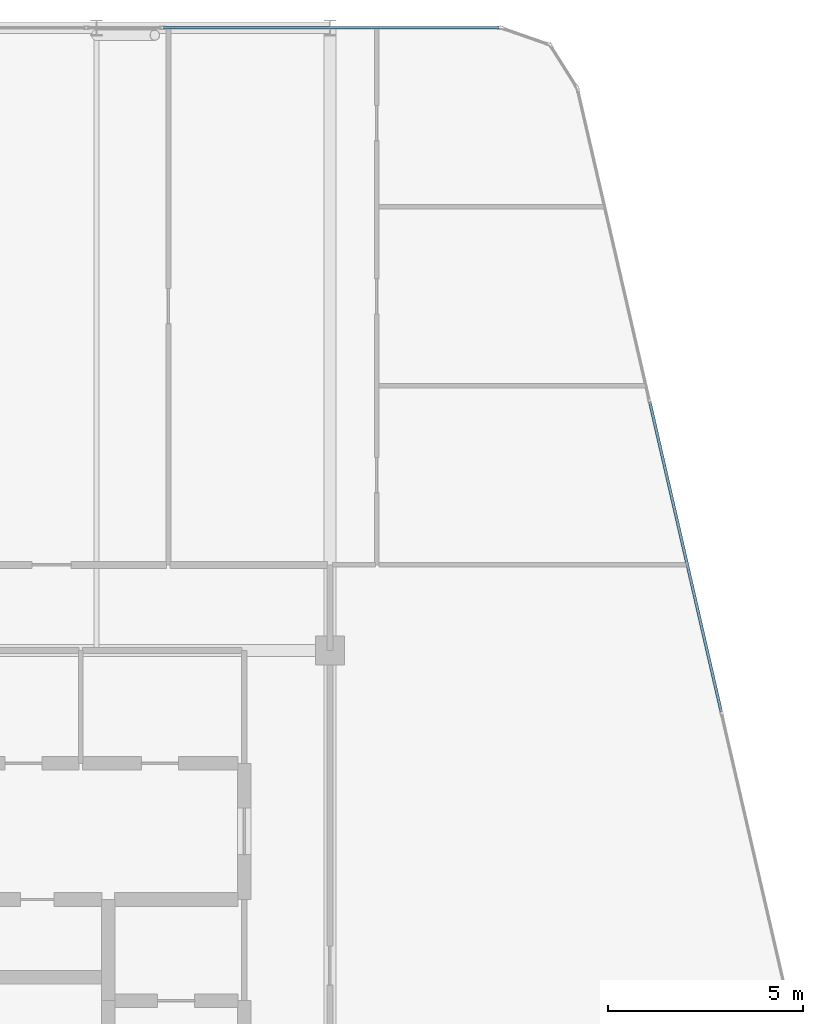
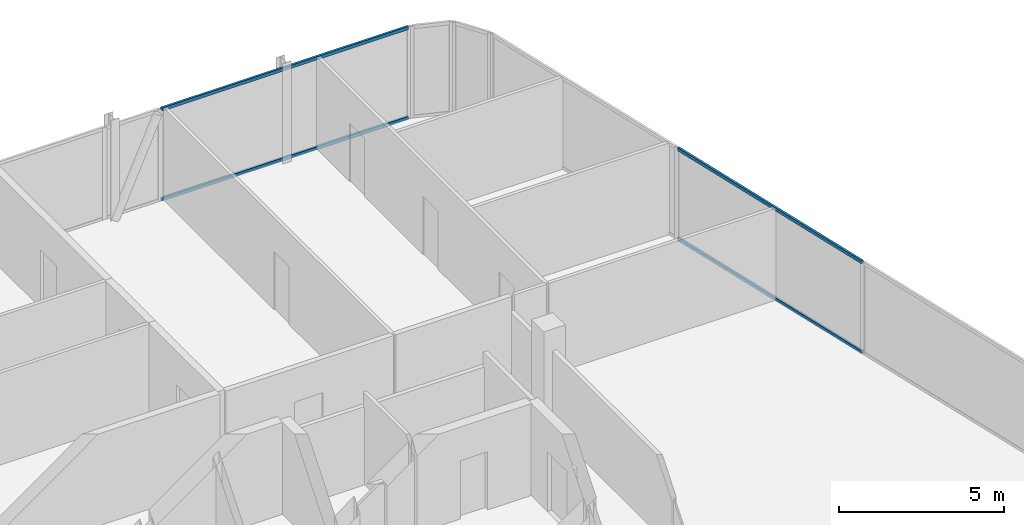
# One storey, part 18 of 27: 4 members, 2 elements without a shape of their own.
"""IFC4 building model written with IfcOpenShell, lengths in metres."""

from ifc_helpers import new_model, si_unit, direction, frame, origin, origin_2d, place, context, subcontext, project, spatial, hollow_rectangle, extrude, material, layer, layer_set, material_profile, profile_set, type_object, element, aggregate, save


model = new_model("IFC4")

# Units and contexts
model_context = context("Model", 3, precision=1e-05, world=origin(), true_north=direction((0.0, 1.0)))
body_context = subcontext(model_context, "Body", "Model", "MODEL_VIEW")
ifc_project = project(units=[si_unit("LENGTHUNIT", "METRE"), si_unit("AREAUNIT", "SQUARE_METRE"), si_unit("VOLUMEUNIT", "CUBIC_METRE"), si_unit("PLANEANGLEUNIT", "RADIAN"), si_unit("MASSUNIT", "GRAM", prefix="KILO")], contexts=[model_context])

# Site, building, storey
site_placement = place(None, origin())
site = spatial("IfcSite", under=ifc_project, at=site_placement, CompositionType="ELEMENT")
building_placement = place(site_placement, origin())
building = spatial("IfcBuilding", under=site, at=building_placement, Name="Keshet Zoharim Tower", CompositionType="ELEMENT")
storey_placement = place(building_placement, frame((0.0, 0.0, 247.300048828125)))
storey = spatial("IfcBuildingStorey", under=building, at=storey_placement, Name="L61", CompositionType="ELEMENT", Elevation=247.300048828125)

# Curtain wall, members
ifc_material = material(Name="Aluminium 6063-T6", Category="aluminium")
ifc_layer = layer(ifc_material, 0.260009765625)
ifc_layer_set = layer_set([ifc_layer], Name="Aluminium 6063-T6")
curtain_wall_type = type_object("IfcCurtainWallType", Name="CW-SYS-06", PredefinedType="NOTDEFINED", material=ifc_layer_set)
curtain_wall_1_placement = place(storey_placement, origin())
curtain_wall_1 = element("IfcCurtainWall", 1, at=curtain_wall_1_placement, inside=storey, type_object=curtain_wall_type, Name="L61 Unitised Curtain Wall 06 Part 5", PredefinedType="NOTDEFINED")
ifc_material_profile = material_profile(ifc_material, hollow_rectangle(XDim=0.074951171875, YDim=0.1201171875, WallThickness=0.00390625, at=origin_2d()), Name="TRN-75x120")
ifc_profile_set = profile_set([ifc_material_profile], Name="Aluminium 6063-T6")
member_type = type_object("IfcMemberType", Name="CWT-T12", PredefinedType="USERDEFINED", material=ifc_profile_set)
member_1_placement = place(storey_placement, frame((28.724853515625, 53.89990234375, 0.034912109375), z_axis=(1.0, 0.0, 0.0), x_axis=(0.0, 1.0, 0.0)))
member_1 = element("IfcMember", 2, at=member_1_placement, type_object=member_type, Name="CW-06 transom 1.1", ObjectType="TRANSOM", PredefinedType="USERDEFINED", context=body_context, shape_type="SweptSolid", body=[
    extrude(hollow_rectangle(XDim=0.074951171875, YDim=0.1201171875, WallThickness=0.00390625, at=origin_2d()), origin(), (0.0, 0.0, 1.0), 8.6142578125),
])
member_2_placement = place(storey_placement, frame((28.724853515625, 53.89990234375, 3.35498046875), z_axis=(1.0, 0.0, 0.0), x_axis=(0.0, 1.0, 0.0)))
member_2 = element("IfcMember", 3, at=member_2_placement, type_object=member_type, Name="CW-06 transom 1.2", ObjectType="TRANSOM", PredefinedType="USERDEFINED", context=body_context, shape_type="SweptSolid", body=[
    extrude(hollow_rectangle(XDim=0.074951171875, YDim=0.1201171875, WallThickness=0.00390625, at=origin_2d()), origin(), (0.0, 0.0, 1.0), 8.6142578125),
])
aggregate(curtain_wall_1, [member_1, member_2])

curtain_wall_2_placement = place(storey_placement, origin())
curtain_wall_2 = element("IfcCurtainWall", 4, at=curtain_wall_2_placement, inside=storey, type_object=curtain_wall_type, Name="L61 Unitised Curtain Wall 09", PredefinedType="NOTDEFINED")
member_3_placement = place(storey_placement, frame((41.218505859375, 44.28662109375, 0.034912109375), z_axis=(0.224826771459, -0.974398749402, 0.0), x_axis=(0.974398749402, 0.224826771459, 0.0)))
member_3 = element("IfcMember", 5, at=member_3_placement, type_object=member_type, Name="CW-06 transom 2.1", ObjectType="TRANSOM", PredefinedType="USERDEFINED", context=body_context, shape_type="SweptSolid", body=[
    extrude(hollow_rectangle(XDim=0.074951171875, YDim=0.1201171875, WallThickness=0.00390625, at=origin_2d()), origin(), (0.0, 0.0, 1.0), 8.17041015625),
])
member_4_placement = place(storey_placement, frame((41.218505859375, 44.28662109375, 3.35498046875), z_axis=(0.224826771459, -0.974398749402, 0.0), x_axis=(0.974398749402, 0.224826771459, 0.0)))
member_4 = element("IfcMember", 6, at=member_4_placement, type_object=member_type, Name="CW-06 transom 2.2", ObjectType="TRANSOM", PredefinedType="USERDEFINED", context=body_context, shape_type="SweptSolid", body=[
    extrude(hollow_rectangle(XDim=0.074951171875, YDim=0.1201171875, WallThickness=0.00390625, at=origin_2d()), origin(), (0.0, 0.0, 1.0), 8.17041015625),
])
aggregate(curtain_wall_2, [member_3, member_4])

save(model, "model.ifc")
